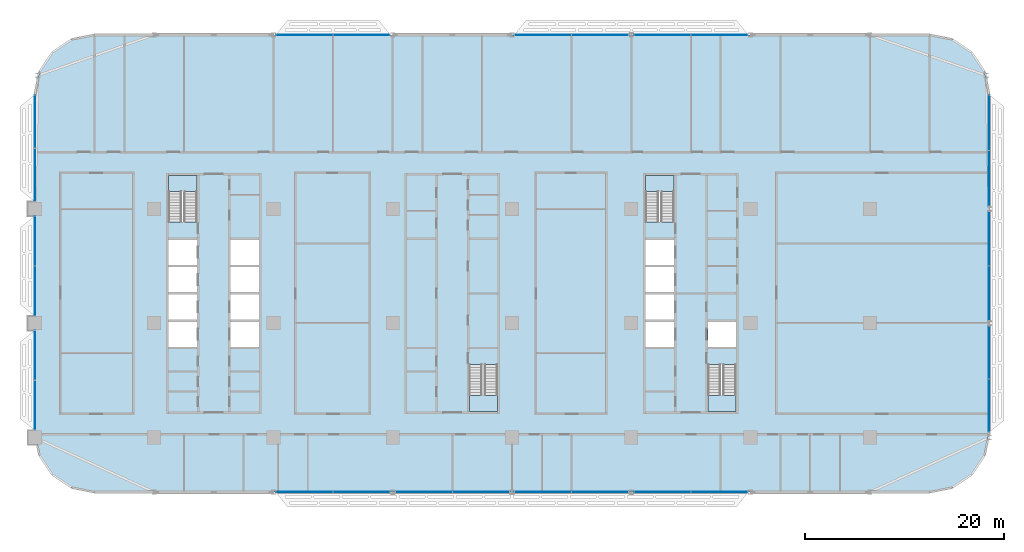
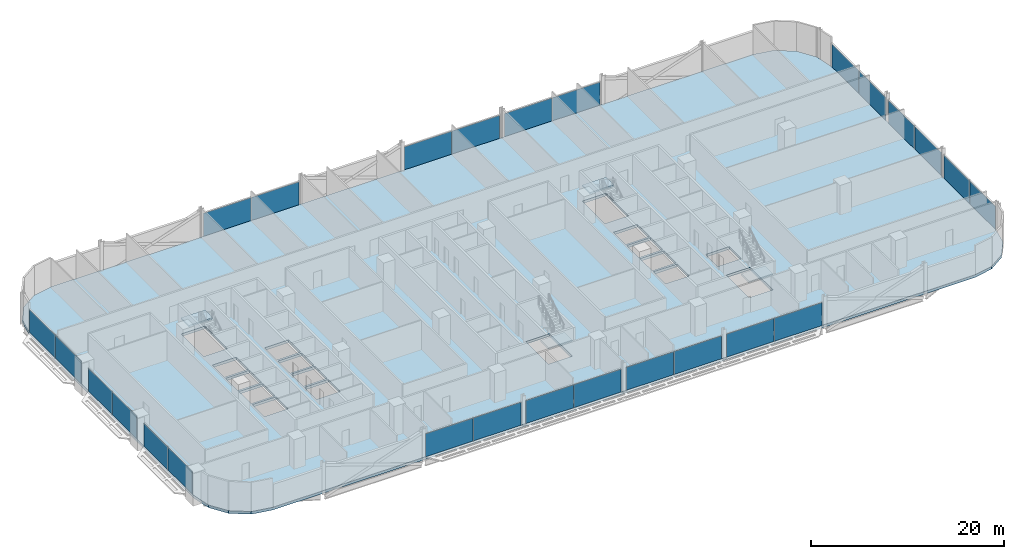
# One storey, part 11 of 29: 26 plates, 5 slabs, 17 elements without a shape of their own.
"""IFC4 building model written with IfcOpenShell, lengths in metres."""

from ifc_helpers import new_model, si_unit, direction, frame, origin, origin_2d, place, context, subcontext, project, spatial, polyline, rectangle, outline, extrude, material, layer, layer_set, type_object, element, aggregate, save


model = new_model("IFC4")

# Units and contexts
model_context = context("Model", 3, precision=1e-05, world=origin(), true_north=direction((0.0, 1.0)))
body_context = subcontext(model_context, "Body", "Model", "MODEL_VIEW")
ifc_project = project(units=[si_unit("LENGTHUNIT", "METRE"), si_unit("AREAUNIT", "SQUARE_METRE"), si_unit("VOLUMEUNIT", "CUBIC_METRE"), si_unit("PLANEANGLEUNIT", "RADIAN"), si_unit("MASSUNIT", "GRAM", prefix="KILO")], contexts=[model_context])

# Site, building, storey
site_placement = place(None, origin())
site = spatial("IfcSite", under=ifc_project, at=site_placement, CompositionType="ELEMENT")
building_placement = place(site_placement, origin())
building = spatial("IfcBuilding", under=site, at=building_placement, Name="Mahtab Terrace Research Tower", CompositionType="ELEMENT")
storey_placement = place(building_placement, frame((0.0, 0.0, 105.300048828125)))
storey = spatial("IfcBuildingStorey", under=building, at=storey_placement, Name="L24", CompositionType="ELEMENT", Elevation=105.300048828125)

# Stair, slab
ifc_material_1 = material(Name="Exit stair half-turn")
stair_type = type_object("IfcStairType", Name="Exit stair half-turn", PredefinedType="HALF_TURN_STAIR", material=ifc_material_1)
stair_1_placement = place(storey_placement, origin())
stair_1 = element("IfcStair", 1, at=stair_1_placement, inside=storey, type_object=stair_type, Name="L24 Protected exit stair ST1", PredefinedType="HALF_TURN_STAIR")
ifc_material_2 = material(Name="Concrete C40/50", Category="concrete")
ifc_layer_1 = layer(ifc_material_2, 0.199951171875)
ifc_layer_set_1 = layer_set([ifc_layer_1], Name="Exit stair landing 200")
slab_type_1 = type_object("IfcSlabType", Name="Exit stair landing 200", PredefinedType="LANDING", material=ifc_layer_set_1)
slab_1_placement = place(storey_placement, frame((0.0, 0.0, 1.849853515625)))
slab_1 = element("IfcSlab", 2, at=slab_1_placement, type_object=slab_type_1, Name="ST1 landing 1", PredefinedType="LANDING", context=body_context, shape_type="SweptSolid", body=[
    extrude(outline(polyline([(-25.699951171875, 13.2548828125), (-25.699951171875, 14.875), (-28.550048828125, 14.875), (-28.550048828125, 13.2548828125), (-25.699951171875, 13.2548828125)])), origin(), (0.0, 0.0, 1.0), 0.2001953125),
])
aggregate(stair_1, [slab_1])

stair_2_placement = place(storey_placement, origin())
stair_2 = element("IfcStair", 3, at=stair_2_placement, inside=storey, type_object=stair_type, Name="L24 Protected exit stair ST2", PredefinedType="HALF_TURN_STAIR")
slab_2_placement = place(storey_placement, frame((0.0, 0.0, 1.849853515625)))
slab_2 = element("IfcSlab", 4, at=slab_2_placement, type_object=slab_type_1, Name="ST2 landing 1", PredefinedType="LANDING", context=body_context, shape_type="SweptSolid", body=[
    extrude(outline(polyline([(1.699951171875, -7.2548828125), (1.699951171875, -8.875), (4.550048828125, -8.875), (4.550048828125, -7.2548828125), (1.699951171875, -7.2548828125)])), origin(), (0.0, 0.0, 1.0), 0.2001953125),
])
aggregate(stair_2, [slab_2])

stair_3_placement = place(storey_placement, origin())
stair_3 = element("IfcStair", 5, at=stair_3_placement, inside=storey, type_object=stair_type, Name="L24 Protected exit stair ST3", PredefinedType="HALF_TURN_STAIR")
slab_3_placement = place(storey_placement, frame((0.0, 0.0, 1.849853515625)))
slab_3 = element("IfcSlab", 6, at=slab_3_placement, type_object=slab_type_1, Name="ST3 landing 1", PredefinedType="LANDING", context=body_context, shape_type="SweptSolid", body=[
    extrude(outline(polyline([(22.300048828125, 13.2548828125), (22.300048828125, 14.875), (19.449951171875, 14.875), (19.449951171875, 13.2548828125), (22.300048828125, 13.2548828125)])), origin(), (0.0, 0.0, 1.0), 0.2001953125),
])
aggregate(stair_3, [slab_3])

stair_4_placement = place(storey_placement, origin())
stair_4 = element("IfcStair", 7, at=stair_4_placement, inside=storey, type_object=stair_type, Name="L24 Protected exit stair ST4", PredefinedType="HALF_TURN_STAIR")
slab_4_placement = place(storey_placement, frame((0.0, 0.0, 1.849853515625)))
slab_4 = element("IfcSlab", 8, at=slab_4_placement, type_object=slab_type_1, Name="ST4 landing 1", PredefinedType="LANDING", context=body_context, shape_type="SweptSolid", body=[
    extrude(outline(polyline([(25.699951171875, -7.2548828125), (25.699951171875, -8.875), (28.550048828125, -8.875), (28.550048828125, -7.2548828125), (25.699951171875, -7.2548828125)])), origin(), (0.0, 0.0, 1.0), 0.2001953125),
])
aggregate(stair_4, [slab_4])

# Curtain wall, plates
ifc_material_3 = material(Name="Laboratory ribbon curtain wall")
curtain_wall_type = type_object("IfcCurtainWallType", Name="Laboratory ribbon curtain wall", PredefinedType="NOTDEFINED", material=ifc_material_3)
curtain_wall_1_placement = place(storey_placement, origin())
curtain_wall_1 = element("IfcCurtainWall", 9, at=curtain_wall_1_placement, inside=storey, type_object=curtain_wall_type, Name="EN.L24.3.5", PredefinedType="NOTDEFINED")
ifc_material_4 = material(Name="Dark glazing", Category="glass")
ifc_layer_2 = layer(ifc_material_4, 0.031982421875)
ifc_layer_set_2 = layer_set([ifc_layer_2], Name="Laboratory ribbon curtain wall glazing panel")
plate_type = type_object("IfcPlateType", Name="Laboratory ribbon curtain wall glazing panel", PredefinedType="CURTAIN_PANEL", material=ifc_layer_set_2)
plate_1_placement = place(storey_placement, frame((26.86962890625, 29.0, 0.0), z_axis=(0.0, 0.0, 1.0), x_axis=(-1.0, 0.0, 0.0)))
plate_1 = element("IfcPlate", 10, at=plate_1_placement, type_object=plate_type, Name="CWL-3 panel 1", PredefinedType="CURTAIN_PANEL", context=body_context, shape_type="SweptSolid", body=[
    extrude(rectangle(XDim=5.674560546875, YDim=0.031982421875, at=origin_2d()), origin(), (0.0, 0.0, 1.0), 2.903076171875),
])
plate_2_placement = place(storey_placement, frame((21.13037109375, 29.0, 0.0), z_axis=(0.0, 0.0, 1.0), x_axis=(-1.0, 0.0, 0.0)))
plate_2 = element("IfcPlate", 11, at=plate_2_placement, type_object=plate_type, Name="CWL-3 panel 2", PredefinedType="CURTAIN_PANEL", context=body_context, shape_type="SweptSolid", body=[
    extrude(rectangle(XDim=5.674560546875, YDim=0.031982421875, at=origin_2d()), origin(), (0.0, 0.0, 1.0), 2.903076171875),
])
aggregate(curtain_wall_1, [plate_1, plate_2])

curtain_wall_2_placement = place(storey_placement, origin())
curtain_wall_2 = element("IfcCurtainWall", 12, at=curtain_wall_2_placement, inside=storey, type_object=curtain_wall_type, Name="EN.L24.3.6", PredefinedType="NOTDEFINED")
plate_3_placement = place(storey_placement, frame((14.86962890625, 29.0, 0.0), z_axis=(0.0, 0.0, 1.0), x_axis=(-1.0, 0.0, 0.0)))
plate_3 = element("IfcPlate", 13, at=plate_3_placement, type_object=plate_type, Name="CWL-3 panel 1", PredefinedType="CURTAIN_PANEL", context=body_context, shape_type="SweptSolid", body=[
    extrude(rectangle(XDim=5.674560546875, YDim=0.031982421875, at=origin_2d()), origin(), (0.0, 0.0, 1.0), 2.903076171875),
])
plate_4_placement = place(storey_placement, frame((9.13037109375, 29.0, 0.0), z_axis=(0.0, 0.0, 1.0), x_axis=(-1.0, 0.0, 0.0)))
plate_4 = element("IfcPlate", 14, at=plate_4_placement, type_object=plate_type, Name="CWL-3 panel 2", PredefinedType="CURTAIN_PANEL", context=body_context, shape_type="SweptSolid", body=[
    extrude(rectangle(XDim=5.674560546875, YDim=0.031982421875, at=origin_2d()), origin(), (0.0, 0.0, 1.0), 2.903076171875),
])
aggregate(curtain_wall_2, [plate_3, plate_4])

curtain_wall_3_placement = place(storey_placement, origin())
curtain_wall_3 = element("IfcCurtainWall", 15, at=curtain_wall_3_placement, inside=storey, type_object=curtain_wall_type, Name="EN.L24.3.8", PredefinedType="NOTDEFINED")
plate_5_placement = place(storey_placement, frame((-9.13037109375, 29.0, 0.0), z_axis=(0.0, 0.0, 1.0), x_axis=(-1.0, 0.0, 0.0)))
plate_5 = element("IfcPlate", 16, at=plate_5_placement, type_object=plate_type, Name="CWL-3 panel 1", PredefinedType="CURTAIN_PANEL", context=body_context, shape_type="SweptSolid", body=[
    extrude(rectangle(XDim=5.674560546875, YDim=0.031982421875, at=origin_2d()), origin(), (0.0, 0.0, 1.0), 2.903076171875),
])
plate_6_placement = place(storey_placement, frame((-14.86962890625, 29.0, 0.0), z_axis=(0.0, 0.0, 1.0), x_axis=(-1.0, 0.0, 0.0)))
plate_6 = element("IfcPlate", 17, at=plate_6_placement, type_object=plate_type, Name="CWL-3 panel 2", PredefinedType="CURTAIN_PANEL", context=body_context, shape_type="SweptSolid", body=[
    extrude(rectangle(XDim=5.674560546875, YDim=0.031982421875, at=origin_2d()), origin(), (0.0, 0.0, 1.0), 2.903076171875),
])
aggregate(curtain_wall_3, [plate_5, plate_6])

curtain_wall_4_placement = place(storey_placement, origin())
curtain_wall_4 = element("IfcCurtainWall", 18, at=curtain_wall_4_placement, inside=storey, type_object=curtain_wall_type, Name="EN.L24.8.16", PredefinedType="NOTDEFINED")
plate_7_placement = place(storey_placement, frame((-42.0, 20.28369140625, 0.0), z_axis=(0.0, 0.0, 1.0), x_axis=(0.0, -1.0, 0.0)))
plate_7 = element("IfcPlate", 19, at=plate_7_placement, type_object=plate_type, Name="CWL-3 panel 1", PredefinedType="CURTAIN_PANEL", context=body_context, shape_type="SweptSolid", body=[
    extrude(rectangle(XDim=5.302490234375, YDim=0.031982421875, at=origin_2d()), origin(), (0.0, 0.0, 1.0), 2.903076171875),
])
plate_8_placement = place(storey_placement, frame((-42.0, 14.916259765625, 0.0), z_axis=(0.0, 0.0, 1.0), x_axis=(0.0, -1.0, 0.0)))
plate_8 = element("IfcPlate", 20, at=plate_8_placement, type_object=plate_type, Name="CWL-3 panel 2", PredefinedType="CURTAIN_PANEL", context=body_context, shape_type="SweptSolid", body=[
    extrude(rectangle(XDim=5.302490234375, YDim=0.031982421875, at=origin_2d()), origin(), (0.0, 0.0, 1.0), 2.903076171875),
])
aggregate(curtain_wall_4, [plate_7, plate_8])

curtain_wall_5_placement = place(storey_placement, origin())
curtain_wall_5 = element("IfcCurtainWall", 21, at=curtain_wall_5_placement, inside=storey, type_object=curtain_wall_type, Name="EN.L24.8.17", PredefinedType="NOTDEFINED")
plate_9_placement = place(storey_placement, frame((-42.0, 8.2587890625, 0.0), z_axis=(0.0, 0.0, 1.0), x_axis=(0.0, -1.0, 0.0)))
plate_9 = element("IfcPlate", 22, at=plate_9_placement, type_object=plate_type, Name="CWL-3 panel 1", PredefinedType="CURTAIN_PANEL", context=body_context, shape_type="SweptSolid", body=[
    extrude(rectangle(XDim=4.952392578125, YDim=0.031982421875, at=origin_2d()), origin(), (0.0, 0.0, 1.0), 2.903076171875),
])
plate_10_placement = place(storey_placement, frame((-42.0, 3.2412109375, 0.0), z_axis=(0.0, 0.0, 1.0), x_axis=(0.0, -1.0, 0.0)))
plate_10 = element("IfcPlate", 23, at=plate_10_placement, type_object=plate_type, Name="CWL-3 panel 2", PredefinedType="CURTAIN_PANEL", context=body_context, shape_type="SweptSolid", body=[
    extrude(rectangle(XDim=4.952392578125, YDim=0.031982421875, at=origin_2d()), origin(), (0.0, 0.0, 1.0), 2.903076171875),
])
aggregate(curtain_wall_5, [plate_9, plate_10])

curtain_wall_6_placement = place(storey_placement, origin())
curtain_wall_6 = element("IfcCurtainWall", 24, at=curtain_wall_6_placement, inside=storey, type_object=curtain_wall_type, Name="EN.L24.8.18", PredefinedType="NOTDEFINED")
plate_11_placement = place(storey_placement, frame((-42.0, -3.2412109375, 0.0), z_axis=(0.0, 0.0, 1.0), x_axis=(0.0, -1.0, 0.0)))
plate_11 = element("IfcPlate", 25, at=plate_11_placement, type_object=plate_type, Name="CWL-3 panel 1", PredefinedType="CURTAIN_PANEL", context=body_context, shape_type="SweptSolid", body=[
    extrude(rectangle(XDim=4.952392578125, YDim=0.031982421875, at=origin_2d()), origin(), (0.0, 0.0, 1.0), 2.903076171875),
])
plate_12_placement = place(storey_placement, frame((-42.0, -8.2587890625, 0.0), z_axis=(0.0, 0.0, 1.0), x_axis=(0.0, -1.0, 0.0)))
plate_12 = element("IfcPlate", 26, at=plate_12_placement, type_object=plate_type, Name="CWL-3 panel 2", PredefinedType="CURTAIN_PANEL", context=body_context, shape_type="SweptSolid", body=[
    extrude(rectangle(XDim=4.952392578125, YDim=0.031982421875, at=origin_2d()), origin(), (0.0, 0.0, 1.0), 2.903076171875),
])
aggregate(curtain_wall_6, [plate_11, plate_12])

curtain_wall_7_placement = place(storey_placement, origin())
curtain_wall_7 = element("IfcCurtainWall", 27, at=curtain_wall_7_placement, inside=storey, type_object=curtain_wall_type, Name="EN.L24.13.25", PredefinedType="NOTDEFINED")
plate_13_placement = place(storey_placement, frame((-14.86962890625, -17.0, 0.0), z_axis=(0.0, 0.0, 1.0), x_axis=(1.0, 0.0, 0.0)))
plate_13 = element("IfcPlate", 28, at=plate_13_placement, type_object=plate_type, Name="CWL-3 panel 1", PredefinedType="CURTAIN_PANEL", context=body_context, shape_type="SweptSolid", body=[
    extrude(rectangle(XDim=5.674560546875, YDim=0.031982421875, at=origin_2d()), origin(), (0.0, 0.0, 1.0), 2.903076171875),
])
plate_14_placement = place(storey_placement, frame((-9.13037109375, -17.0, 0.0), z_axis=(0.0, 0.0, 1.0), x_axis=(1.0, 0.0, 0.0)))
plate_14 = element("IfcPlate", 29, at=plate_14_placement, type_object=plate_type, Name="CWL-3 panel 2", PredefinedType="CURTAIN_PANEL", context=body_context, shape_type="SweptSolid", body=[
    extrude(rectangle(XDim=5.674560546875, YDim=0.031982421875, at=origin_2d()), origin(), (0.0, 0.0, 1.0), 2.903076171875),
])
aggregate(curtain_wall_7, [plate_13, plate_14])

curtain_wall_8_placement = place(storey_placement, origin())
curtain_wall_8 = element("IfcCurtainWall", 30, at=curtain_wall_8_placement, inside=storey, type_object=curtain_wall_type, Name="EN.L24.13.26", PredefinedType="NOTDEFINED")
plate_15_placement = place(storey_placement, frame((-2.86962890625, -17.0, 0.0), z_axis=(0.0, 0.0, 1.0), x_axis=(1.0, 0.0, 0.0)))
plate_15 = element("IfcPlate", 31, at=plate_15_placement, type_object=plate_type, Name="CWL-3 panel 1", PredefinedType="CURTAIN_PANEL", context=body_context, shape_type="SweptSolid", body=[
    extrude(rectangle(XDim=5.674560546875, YDim=0.031982421875, at=origin_2d()), origin(), (0.0, 0.0, 1.0), 2.903076171875),
])
plate_16_placement = place(storey_placement, frame((2.86962890625, -17.0, 0.0), z_axis=(0.0, 0.0, 1.0), x_axis=(1.0, 0.0, 0.0)))
plate_16 = element("IfcPlate", 32, at=plate_16_placement, type_object=plate_type, Name="CWL-3 panel 2", PredefinedType="CURTAIN_PANEL", context=body_context, shape_type="SweptSolid", body=[
    extrude(rectangle(XDim=5.674560546875, YDim=0.031982421875, at=origin_2d()), origin(), (0.0, 0.0, 1.0), 2.903076171875),
])
aggregate(curtain_wall_8, [plate_15, plate_16])

curtain_wall_9_placement = place(storey_placement, origin())
curtain_wall_9 = element("IfcCurtainWall", 33, at=curtain_wall_9_placement, inside=storey, type_object=curtain_wall_type, Name="EN.L24.13.27", PredefinedType="NOTDEFINED")
plate_17_placement = place(storey_placement, frame((9.13037109375, -17.0, 0.0), z_axis=(0.0, 0.0, 1.0), x_axis=(1.0, 0.0, 0.0)))
plate_17 = element("IfcPlate", 34, at=plate_17_placement, type_object=plate_type, Name="CWL-3 panel 1", PredefinedType="CURTAIN_PANEL", context=body_context, shape_type="SweptSolid", body=[
    extrude(rectangle(XDim=5.674560546875, YDim=0.031982421875, at=origin_2d()), origin(), (0.0, 0.0, 1.0), 2.903076171875),
])
plate_18_placement = place(storey_placement, frame((14.86962890625, -17.0, 0.0), z_axis=(0.0, 0.0, 1.0), x_axis=(1.0, 0.0, 0.0)))
plate_18 = element("IfcPlate", 35, at=plate_18_placement, type_object=plate_type, Name="CWL-3 panel 2", PredefinedType="CURTAIN_PANEL", context=body_context, shape_type="SweptSolid", body=[
    extrude(rectangle(XDim=5.674560546875, YDim=0.031982421875, at=origin_2d()), origin(), (0.0, 0.0, 1.0), 2.903076171875),
])
aggregate(curtain_wall_9, [plate_17, plate_18])

curtain_wall_10_placement = place(storey_placement, origin())
curtain_wall_10 = element("IfcCurtainWall", 36, at=curtain_wall_10_placement, inside=storey, type_object=curtain_wall_type, Name="EN.L24.13.28", PredefinedType="NOTDEFINED")
plate_19_placement = place(storey_placement, frame((21.13037109375, -17.0, 0.0), z_axis=(0.0, 0.0, 1.0), x_axis=(1.0, 0.0, 0.0)))
plate_19 = element("IfcPlate", 37, at=plate_19_placement, type_object=plate_type, Name="CWL-3 panel 1", PredefinedType="CURTAIN_PANEL", context=body_context, shape_type="SweptSolid", body=[
    extrude(rectangle(XDim=5.674560546875, YDim=0.031982421875, at=origin_2d()), origin(), (0.0, 0.0, 1.0), 2.903076171875),
])
plate_20_placement = place(storey_placement, frame((26.86962890625, -17.0, 0.0), z_axis=(0.0, 0.0, 1.0), x_axis=(1.0, 0.0, 0.0)))
plate_20 = element("IfcPlate", 38, at=plate_20_placement, type_object=plate_type, Name="CWL-3 panel 2", PredefinedType="CURTAIN_PANEL", context=body_context, shape_type="SweptSolid", body=[
    extrude(rectangle(XDim=5.674560546875, YDim=0.031982421875, at=origin_2d()), origin(), (0.0, 0.0, 1.0), 2.903076171875),
])
aggregate(curtain_wall_10, [plate_19, plate_20])

curtain_wall_11_placement = place(storey_placement, origin())
curtain_wall_11 = element("IfcCurtainWall", 39, at=curtain_wall_11_placement, inside=storey, type_object=curtain_wall_type, Name="EN.L24.18.36", PredefinedType="NOTDEFINED")
plate_21_placement = place(storey_placement, frame((54.0, -8.290771484375, 0.0), z_axis=(0.0, 0.0, 1.0), x_axis=(0.0, 1.0, 0.0)))
plate_21 = element("IfcPlate", 40, at=plate_21_placement, type_object=plate_type, Name="CWL-3 panel 1", PredefinedType="CURTAIN_PANEL", context=body_context, shape_type="SweptSolid", body=[
    extrude(rectangle(XDim=5.28857421875, YDim=0.031982421875, at=origin_2d()), origin(), (0.0, 0.0, 1.0), 2.903076171875),
])
plate_22_placement = place(storey_placement, frame((54.0, -2.937255859375, 0.0), z_axis=(0.0, 0.0, 1.0), x_axis=(0.0, 1.0, 0.0)))
plate_22 = element("IfcPlate", 41, at=plate_22_placement, type_object=plate_type, Name="CWL-3 panel 2", PredefinedType="CURTAIN_PANEL", context=body_context, shape_type="SweptSolid", body=[
    extrude(rectangle(XDim=5.28857421875, YDim=0.031982421875, at=origin_2d()), origin(), (0.0, 0.0, 1.0), 2.903076171875),
])
aggregate(curtain_wall_11, [plate_21, plate_22])

curtain_wall_12_placement = place(storey_placement, origin())
curtain_wall_12 = element("IfcCurtainWall", 42, at=curtain_wall_12_placement, inside=storey, type_object=curtain_wall_type, Name="EN.L24.18.37", PredefinedType="NOTDEFINED")
plate_23_placement = place(storey_placement, frame((54.0, 3.00537109375, 0.0), z_axis=(0.0, 0.0, 1.0), x_axis=(0.0, 1.0, 0.0)))
plate_23 = element("IfcPlate", 43, at=plate_23_placement, type_object=plate_type, Name="CWL-3 panel 1", PredefinedType="CURTAIN_PANEL", context=body_context, shape_type="SweptSolid", body=[
    extrude(rectangle(XDim=5.424560546875, YDim=0.031982421875, at=origin_2d()), origin(), (0.0, 0.0, 1.0), 2.903076171875),
])
plate_24_placement = place(storey_placement, frame((54.0, 8.49462890625, 0.0), z_axis=(0.0, 0.0, 1.0), x_axis=(0.0, 1.0, 0.0)))
plate_24 = element("IfcPlate", 44, at=plate_24_placement, type_object=plate_type, Name="CWL-3 panel 2", PredefinedType="CURTAIN_PANEL", context=body_context, shape_type="SweptSolid", body=[
    extrude(rectangle(XDim=5.424560546875, YDim=0.031982421875, at=origin_2d()), origin(), (0.0, 0.0, 1.0), 2.903076171875),
])
aggregate(curtain_wall_12, [plate_23, plate_24])

curtain_wall_13_placement = place(storey_placement, origin())
curtain_wall_13 = element("IfcCurtainWall", 45, at=curtain_wall_13_placement, inside=storey, type_object=curtain_wall_type, Name="EN.L24.18.38", PredefinedType="NOTDEFINED")
plate_25_placement = place(storey_placement, frame((54.0, 14.562255859375, 0.0), z_axis=(0.0, 0.0, 1.0), x_axis=(0.0, 1.0, 0.0)))
plate_25 = element("IfcPlate", 46, at=plate_25_placement, type_object=plate_type, Name="CWL-3 panel 1", PredefinedType="CURTAIN_PANEL", context=body_context, shape_type="SweptSolid", body=[
    extrude(rectangle(XDim=5.53857421875, YDim=0.031982421875, at=origin_2d()), origin(), (0.0, 0.0, 1.0), 2.903076171875),
])
plate_26_placement = place(storey_placement, frame((54.0, 20.165771484375, 0.0), z_axis=(0.0, 0.0, 1.0), x_axis=(0.0, 1.0, 0.0)))
plate_26 = element("IfcPlate", 47, at=plate_26_placement, type_object=plate_type, Name="CWL-3 panel 2", PredefinedType="CURTAIN_PANEL", context=body_context, shape_type="SweptSolid", body=[
    extrude(rectangle(XDim=5.53857421875, YDim=0.031982421875, at=origin_2d()), origin(), (0.0, 0.0, 1.0), 2.903076171875),
])
aggregate(curtain_wall_13, [plate_25, plate_26])

# Slab
ifc_layer_3 = layer(ifc_material_2, 0.340087890625)
ifc_layer_set_3 = layer_set([ifc_layer_3], Name="PT flat slab 340")
slab_type_2 = type_object("IfcSlabType", Name="PT flat slab 340", PredefinedType="FLOOR", material=ifc_layer_set_3)
slab_5_placement = place(storey_placement, frame((0.0, 0.0, -0.340087890625)))
element("IfcSlab", 48, at=slab_5_placement, inside=storey, type_object=slab_type_2, Name="Floor slab L24", PredefinedType="FLOOR", context=body_context, shape_type="SweptSolid", body=[
    extrude(outline(polyline([(53.54296875, 25.2958984375), (52.242919921875, 27.242919921875), (50.2958984375, 28.54296875), (48.0, 29.0), (-36.0, 29.0), (-38.2958984375, 28.54296875), (-40.242919921875, 27.242919921875), (-41.54296875, 25.2958984375), (-42.0, 23.0), (-42.0, -11.0), (-41.54296875, -13.2958984375), (-40.242919921875, -15.242919921875), (-38.2958984375, -16.54296875), (-36.0, -17.0), (48.0, -17.0), (50.2958984375, -16.54296875), (52.242919921875, -15.242919921875), (53.54296875, -13.2958984375), (54.0, -11.0), (54.0, 23.0), (53.54296875, 25.2958984375)]), holes=[polyline([(-28.550048828125, -2.375), (-28.550048828125, 0.125), (-25.699951171875, 0.125), (-25.699951171875, -2.375), (-28.550048828125, -2.375)]), polyline([(-22.300048828125, -2.375), (-22.300048828125, 0.125), (-19.449951171875, 0.125), (-19.449951171875, -2.375), (-22.300048828125, -2.375)]), polyline([(-28.550048828125, 0.375), (-28.550048828125, 2.875), (-25.699951171875, 2.875), (-25.699951171875, 0.375), (-28.550048828125, 0.375)]), polyline([(-22.300048828125, 0.375), (-22.300048828125, 2.875), (-19.449951171875, 2.875), (-19.449951171875, 0.375), (-22.300048828125, 0.375)]), polyline([(-28.550048828125, 3.125), (-28.550048828125, 5.625), (-25.699951171875, 5.625), (-25.699951171875, 3.125), (-28.550048828125, 3.125)]), polyline([(-22.300048828125, 3.125), (-22.300048828125, 5.625), (-19.449951171875, 5.625), (-19.449951171875, 3.125), (-22.300048828125, 3.125)]), polyline([(-28.550048828125, 5.875), (-28.550048828125, 8.375), (-25.699951171875, 8.375), (-25.699951171875, 5.875), (-28.550048828125, 5.875)]), polyline([(-22.300048828125, 5.875), (-22.300048828125, 8.375), (-19.449951171875, 8.375), (-19.449951171875, 5.875), (-22.300048828125, 5.875)]), polyline([(-28.550048828125, 10.177001953125), (-28.550048828125, 14.875), (-25.699951171875, 14.875), (-25.699951171875, 10.177001953125), (-28.550048828125, 10.177001953125)]), polyline([(1.699951171875, -8.875), (1.699951171875, -4.177001953125), (4.550048828125, -4.177001953125), (4.550048828125, -8.875), (1.699951171875, -8.875)]), polyline([(25.699951171875, -8.875), (25.699951171875, -4.177001953125), (28.550048828125, -4.177001953125), (28.550048828125, -8.875), (25.699951171875, -8.875)]), polyline([(19.449951171875, -2.375), (19.449951171875, 0.125), (22.300048828125, 0.125), (22.300048828125, -2.375), (19.449951171875, -2.375)]), polyline([(25.699951171875, -2.375), (25.699951171875, 0.125), (28.550048828125, 0.125), (28.550048828125, -2.375), (25.699951171875, -2.375)]), polyline([(19.449951171875, 0.375), (19.449951171875, 2.875), (22.300048828125, 2.875), (22.300048828125, 0.375), (19.449951171875, 0.375)]), polyline([(19.449951171875, 3.125), (19.449951171875, 5.625), (22.300048828125, 5.625), (22.300048828125, 3.125), (19.449951171875, 3.125)]), polyline([(19.449951171875, 8.375), (22.300048828125, 8.375), (22.300048828125, 5.875), (19.449951171875, 5.875), (19.449951171875, 8.375)]), polyline([(19.449951171875, 14.875), (22.300048828125, 14.875), (22.300048828125, 10.177001953125), (19.449951171875, 10.177001953125), (19.449951171875, 14.875)])]), origin(), (0.0, 0.0, 1.0), 0.340087890625),
])

save(model, "model.ifc")
